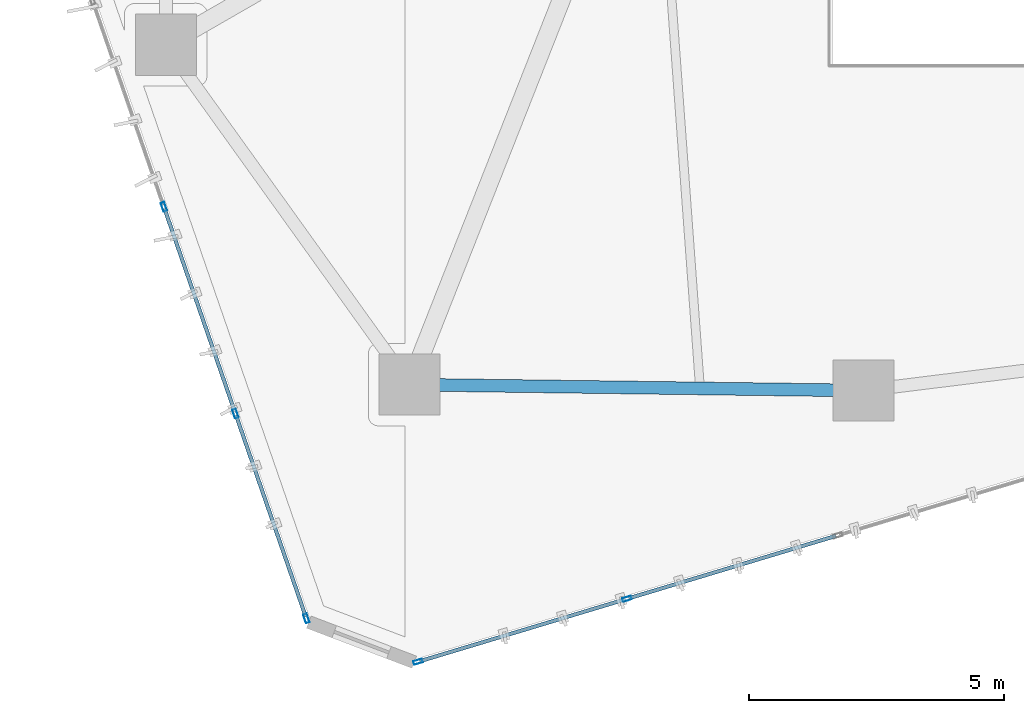
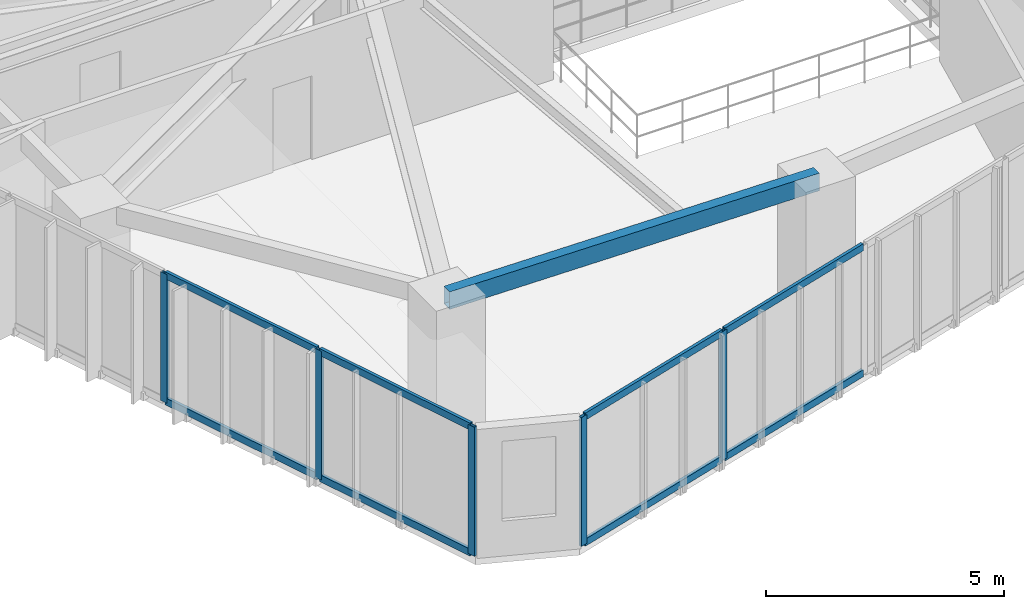
# One storey, part 2 of 21: 13 members, 1 beam, 2 elements without a shape of their own.
"""IFC4 building model written with IfcOpenShell, lengths in metres."""

from ifc_helpers import new_model, si_unit, direction, frame, origin, origin_2d, place, context, subcontext, project, spatial, hollow_rectangle, extrude, source, transform, mapped, material, layer, layer_set, material_profile, profile_set, type_object, type_shapes, element, aggregate, save


model = new_model("IFC4")

# Units and contexts
model_context = context("Model", 3, precision=1e-05, world=origin(), true_north=direction((0.0, 1.0)))
body_context = subcontext(model_context, "Body", "Model", "MODEL_VIEW")
ifc_project = project(units=[si_unit("LENGTHUNIT", "METRE"), si_unit("AREAUNIT", "SQUARE_METRE"), si_unit("VOLUMEUNIT", "CUBIC_METRE"), si_unit("PLANEANGLEUNIT", "RADIAN"), si_unit("MASSUNIT", "GRAM", prefix="KILO")], contexts=[model_context])

# Site, building, storey
site_placement = place(None, origin())
site = spatial("IfcSite", under=ifc_project, at=site_placement, CompositionType="ELEMENT")
building_placement = place(site_placement, origin())
building = spatial("IfcBuilding", under=site, at=building_placement, Name="Talar Marvaseh", CompositionType="ELEMENT")
storey_placement = place(building_placement, frame((0.0, 0.0, 139.800048828125)))
storey = spatial("IfcBuildingStorey", under=building, at=storey_placement, Name="L36", CompositionType="ELEMENT", Elevation=139.800048828125)

# Beam
ifc_material_1 = material(Name="Steel S355", Category="steel")
ifc_material_profile_1 = material_profile(ifc_material_1, hollow_rectangle(XDim=0.25, YDim=0.449951171875, WallThickness=0.01611328125, at=origin_2d()), Name="RHS450x250x16")
ifc_profile_set_1 = profile_set([ifc_material_profile_1], Name="Steel S355")
beam_type = type_object("IfcBeamType", Name="Zone 2 Perimeter Spandrel Beam RHS450x250x16", PredefinedType="SPANDREL", material=ifc_profile_set_1)
beam_placement = place(storey_placement, frame((22.804931640625, 13.18310546875, 3.0849609375), z_axis=(-0.999915383581, 0.013008677034, 0.0), x_axis=(-0.013008677034, -0.999915383581, 0.0)))
element("IfcBeam", 1, at=beam_placement, inside=storey, type_object=beam_type, Name="L36 Zone 2 Perimeter Spandrel Beam RHS450x250x16", PredefinedType="SPANDREL", context=body_context, shape_type="SweptSolid", body=[
    extrude(hollow_rectangle(XDim=0.25, YDim=0.449951171875, WallThickness=0.01611328125, at=origin_2d()), origin(), (0.0, 0.0, 1.0), 8.91455078125),
])

# Curtain wall, members
ifc_material_2 = material(Name="Architectural Aluminium", Category="aluminium")
ifc_layer = layer(ifc_material_2, 0.199951171875)
ifc_layer_set = layer_set([ifc_layer], Name="Architectural Aluminium")
curtain_wall_type = type_object("IfcCurtainWallType", Name="Unitised Acoustic Library Curtain Wall Z2", PredefinedType="NOTDEFINED", material=ifc_layer_set)
curtain_wall_1_placement = place(storey_placement, origin())
curtain_wall_1 = element("IfcCurtainWall", 2, at=curtain_wall_1_placement, inside=storey, type_object=curtain_wall_type, Name="L36 Unitised Acoustic Library Curtain Wall Z2", PredefinedType="NOTDEFINED")
ifc_material_profile_2 = material_profile(ifc_material_2, hollow_rectangle(XDim=0.074951171875, YDim=0.179931640625, WallThickness=0.0048828125, at=origin_2d()), Name="RHS180x75x5")
ifc_profile_set_2 = profile_set([ifc_material_profile_2], Name="Architectural Aluminium")
member_type_1 = type_object("IfcMemberType", Name="Unitised Curtain Wall Standard Mullion RHS180x75x5", PredefinedType="MULLION", material=ifc_profile_set_2)
shared_shape_1 = source(origin(), body_context, "Body", "SweptSolid", [
    extrude(hollow_rectangle(XDim=0.074951171875, YDim=0.179931640625, WallThickness=0.0048828125, at=origin_2d()), origin(), (0.0, 0.0, 1.0), 3.31005859375),
])
type_shapes(member_type_1, [shared_shape_1])
member_1_placement = place(storey_placement, frame((11.86328125, 8.705810546875, 0.0), z_axis=(0.0, 0.0, 1.0), x_axis=(-0.944968852239, -0.327160309784, 0.0)))
member_1 = element("IfcMember", 3, at=member_1_placement, type_object=member_type_1, Name="CW-Z2 mullion 1", PredefinedType="MULLION", context=body_context, shape_type="MappedRepresentation", body=[
    mapped(shared_shape_1, transform((0.0, 0.0, 0.0), x_axis=(1.0, 0.0, 0.0), y_axis=(0.0, 1.0, 0.0), z_axis=(0.0, 0.0, 1.0), scale=1.0)),
])
member_2_placement = place(storey_placement, frame((10.469482421875, 12.731689453125, 0.0), z_axis=(0.0, 0.0, 1.0), x_axis=(-0.944968852239, -0.327160309784, 0.0)))
member_2 = element("IfcMember", 4, at=member_2_placement, type_object=member_type_1, Name="CW-Z2 mullion 2", PredefinedType="MULLION", context=body_context, shape_type="MappedRepresentation", body=[
    mapped(shared_shape_1, transform((0.0, 0.0, 0.0), x_axis=(1.0, 0.0, 0.0), y_axis=(0.0, 1.0, 0.0), z_axis=(0.0, 0.0, 1.0), scale=1.0)),
])
member_3_placement = place(storey_placement, frame((9.063232421875, 16.793212890625, 0.0), z_axis=(0.0, 0.0, 1.0), x_axis=(-0.944968852239, -0.327160309784, 0.0)))
member_3 = element("IfcMember", 5, at=member_3_placement, type_object=member_type_1, Name="CW-Z2 mullion 3", PredefinedType="MULLION", context=body_context, shape_type="MappedRepresentation", body=[
    mapped(shared_shape_1, transform((0.0, 0.0, 0.0), x_axis=(1.0, 0.0, 0.0), y_axis=(0.0, 1.0, 0.0), z_axis=(0.0, 0.0, 1.0), scale=1.0)),
])

curtain_wall_2_placement = place(storey_placement, origin())
curtain_wall_2 = element("IfcCurtainWall", 6, at=curtain_wall_2_placement, inside=storey, type_object=curtain_wall_type, Name="L36 Unitised Acoustic Library Curtain Wall Z2", PredefinedType="NOTDEFINED")
member_4_placement = place(storey_placement, frame((18.1611328125, 9.091064453125, 0.0), z_axis=(0.0, 0.0, 1.0), x_axis=(0.288342924167, -0.9575272101, 0.0)))
member_4 = element("IfcMember", 7, at=member_4_placement, type_object=member_type_1, Name="CW-Z2 mullion 5", PredefinedType="MULLION", context=body_context, shape_type="MappedRepresentation", body=[
    mapped(shared_shape_1, transform((0.0, 0.0, 0.0), x_axis=(1.0, 0.0, 0.0), y_axis=(0.0, 1.0, 0.0), z_axis=(0.0, 0.0, 1.0), scale=1.0)),
])
member_5_placement = place(storey_placement, frame((14.05712890625, 7.855224609375, 0.0), z_axis=(0.0, 0.0, 1.0), x_axis=(0.288342924167, -0.9575272101, 0.0)))
member_5 = element("IfcMember", 8, at=member_5_placement, type_object=member_type_1, Name="CW-Z2 mullion 6", PredefinedType="MULLION", context=body_context, shape_type="MappedRepresentation", body=[
    mapped(shared_shape_1, transform((0.0, 0.0, 0.0), x_axis=(1.0, 0.0, 0.0), y_axis=(0.0, 1.0, 0.0), z_axis=(0.0, 0.0, 1.0), scale=1.0)),
])

# Member
ifc_material_profile_3 = material_profile(ifc_material_2, hollow_rectangle(XDim=0.074951171875, YDim=0.179931640625, WallThickness=0.0048828125, at=origin_2d()), Name="RHS180x75x5")
ifc_profile_set_3 = profile_set([ifc_material_profile_3], Name="Architectural Aluminium")
member_type_2 = type_object("IfcMemberType", Name="Unitised Curtain Wall Transom RHS180x75x5", PredefinedType="USERDEFINED", material=ifc_profile_set_3)
shared_shape_2 = source(origin(), body_context, "Body", "SweptSolid", [
    extrude(hollow_rectangle(XDim=0.074951171875, YDim=0.179931640625, WallThickness=0.0048828125, at=origin_2d()), origin(), (0.0, 0.0, 1.0), 4.22314453125),
])
member_6_placement = place(storey_placement, frame((10.45703125, 12.76708984375, 0.037353515625), z_axis=(-0.327098650216, 0.944990197318, 0.0), x_axis=(-0.944990197318, -0.327098650216, 0.0)))
member_6 = element("IfcMember", 9, at=member_6_placement, type_object=member_type_2, Name="CW-Z2 transom 2.1", ObjectType="TRANSOM", PredefinedType="USERDEFINED", context=body_context, shape_type="MappedRepresentation", body=[
    mapped(shared_shape_2, transform((0.0, 0.0, 0.0), x_axis=(1.0, 0.0, 0.0), y_axis=(0.0, 1.0, 0.0), z_axis=(0.0, 0.0, 1.0), scale=1.0)),
])

member_7_placement = place(storey_placement, frame((10.45703125, 12.76708984375, 3.2724609375), z_axis=(-0.327098650216, 0.944990197318, 0.0), x_axis=(-0.944990197318, -0.327098650216, 0.0)))
member_7 = element("IfcMember", 10, at=member_7_placement, type_object=member_type_2, Name="CW-Z2 transom 2.2", ObjectType="TRANSOM", PredefinedType="USERDEFINED", context=body_context, shape_type="MappedRepresentation", body=[
    mapped(shared_shape_2, transform((0.0, 0.0, 0.0), x_axis=(1.0, 0.0, 0.0), y_axis=(0.0, 1.0, 0.0), z_axis=(0.0, 0.0, 1.0), scale=1.0)),
])

shared_shape_3 = source(origin(), body_context, "Body", "SweptSolid", [
    extrude(hollow_rectangle(XDim=0.074951171875, YDim=0.179931640625, WallThickness=0.0048828125, at=origin_2d()), origin(), (0.0, 0.0, 1.0), 4.185546875),
])
member_8_placement = place(storey_placement, frame((11.85107421875, 8.7412109375, 0.037353515625), z_axis=(-0.327178680101, 0.944962492, 0.0), x_axis=(-0.944962492, -0.327178680101, 0.0)))
member_8 = element("IfcMember", 11, at=member_8_placement, type_object=member_type_2, Name="CW-Z2 transom 1.1", ObjectType="TRANSOM", PredefinedType="USERDEFINED", context=body_context, shape_type="MappedRepresentation", body=[
    mapped(shared_shape_3, transform((0.0, 0.0, 0.0), x_axis=(1.0, 0.0, 0.0), y_axis=(0.0, 1.0, 0.0), z_axis=(0.0, 0.0, 1.0), scale=1.0)),
])

member_9_placement = place(storey_placement, frame((11.85107421875, 8.7412109375, 3.2724609375), z_axis=(-0.327178680101, 0.944962492, 0.0), x_axis=(-0.944962492, -0.327178680101, 0.0)))
member_9 = element("IfcMember", 12, at=member_9_placement, type_object=member_type_2, Name="CW-Z2 transom 1.2", ObjectType="TRANSOM", PredefinedType="USERDEFINED", context=body_context, shape_type="MappedRepresentation", body=[
    mapped(shared_shape_3, transform((0.0, 0.0, 0.0), x_axis=(1.0, 0.0, 0.0), y_axis=(0.0, 1.0, 0.0), z_axis=(0.0, 0.0, 1.0), scale=1.0)),
])

aggregate(curtain_wall_1, [member_1, member_2, member_3, member_8, member_9, member_6, member_7])

shared_shape_4 = source(origin(), body_context, "Body", "SweptSolid", [
    extrude(hollow_rectangle(XDim=0.074951171875, YDim=0.179931640625, WallThickness=0.0048828125, at=origin_2d()), origin(), (0.0, 0.0, 1.0), 4.24853515625),
])
member_10_placement = place(storey_placement, frame((22.26513671875, 10.326904296875, 0.037353515625), z_axis=(-0.957539539223, -0.288301978532, 0.0), x_axis=(0.288301978532, -0.957539539223, 0.0)))
member_10 = element("IfcMember", 13, at=member_10_placement, type_object=member_type_2, Name="CW-Z2 transom 4.1", ObjectType="TRANSOM", PredefinedType="USERDEFINED", context=body_context, shape_type="MappedRepresentation", body=[
    mapped(shared_shape_4, transform((0.0, 0.0, 0.0), x_axis=(1.0, 0.0, 0.0), y_axis=(0.0, 1.0, 0.0), z_axis=(0.0, 0.0, 1.0), scale=1.0)),
])

member_11_placement = place(storey_placement, frame((22.26513671875, 10.326904296875, 3.2724609375), z_axis=(-0.957539539223, -0.288301978532, 0.0), x_axis=(0.288301978532, -0.957539539223, 0.0)))
member_11 = element("IfcMember", 14, at=member_11_placement, type_object=member_type_2, Name="CW-Z2 transom 4.2", ObjectType="TRANSOM", PredefinedType="USERDEFINED", context=body_context, shape_type="MappedRepresentation", body=[
    mapped(shared_shape_4, transform((0.0, 0.0, 0.0), x_axis=(1.0, 0.0, 0.0), y_axis=(0.0, 1.0, 0.0), z_axis=(0.0, 0.0, 1.0), scale=1.0)),
])

shared_shape_5 = source(origin(), body_context, "Body", "SweptSolid", [
    extrude(hollow_rectangle(XDim=0.074951171875, YDim=0.179931640625, WallThickness=0.0048828125, at=origin_2d()), origin(), (0.0, 0.0, 1.0), 4.2109375),
])
type_shapes(member_type_2, [shared_shape_2, shared_shape_3, shared_shape_4, shared_shape_5])
member_12_placement = place(storey_placement, frame((18.125244140625, 9.080322265625, 0.037353515625), z_axis=(-0.957535383004, -0.288315782252, 0.0), x_axis=(0.288315782252, -0.957535383004, 0.0)))
member_12 = element("IfcMember", 15, at=member_12_placement, type_object=member_type_2, Name="CW-Z2 transom 5.1", ObjectType="TRANSOM", PredefinedType="USERDEFINED", context=body_context, shape_type="MappedRepresentation", body=[
    mapped(shared_shape_5, transform((0.0, 0.0, 0.0), x_axis=(1.0, 0.0, 0.0), y_axis=(0.0, 1.0, 0.0), z_axis=(0.0, 0.0, 1.0), scale=1.0)),
])

member_13_placement = place(storey_placement, frame((18.125244140625, 9.080322265625, 3.2724609375), z_axis=(-0.957535383004, -0.288315782252, 0.0), x_axis=(0.288315782252, -0.957535383004, 0.0)))
member_13 = element("IfcMember", 16, at=member_13_placement, type_object=member_type_2, Name="CW-Z2 transom 5.2", ObjectType="TRANSOM", PredefinedType="USERDEFINED", context=body_context, shape_type="MappedRepresentation", body=[
    mapped(shared_shape_5, transform((0.0, 0.0, 0.0), x_axis=(1.0, 0.0, 0.0), y_axis=(0.0, 1.0, 0.0), z_axis=(0.0, 0.0, 1.0), scale=1.0)),
])

aggregate(curtain_wall_2, [member_4, member_5, member_10, member_11, member_12, member_13])

save(model, "model.ifc")
